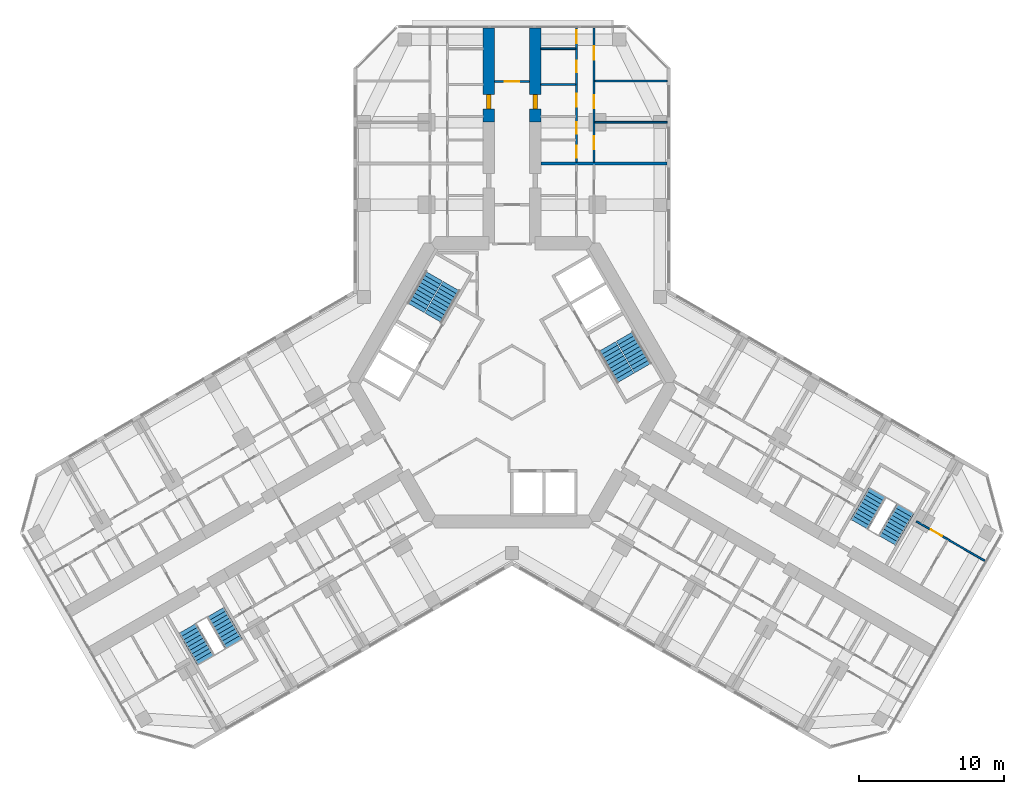
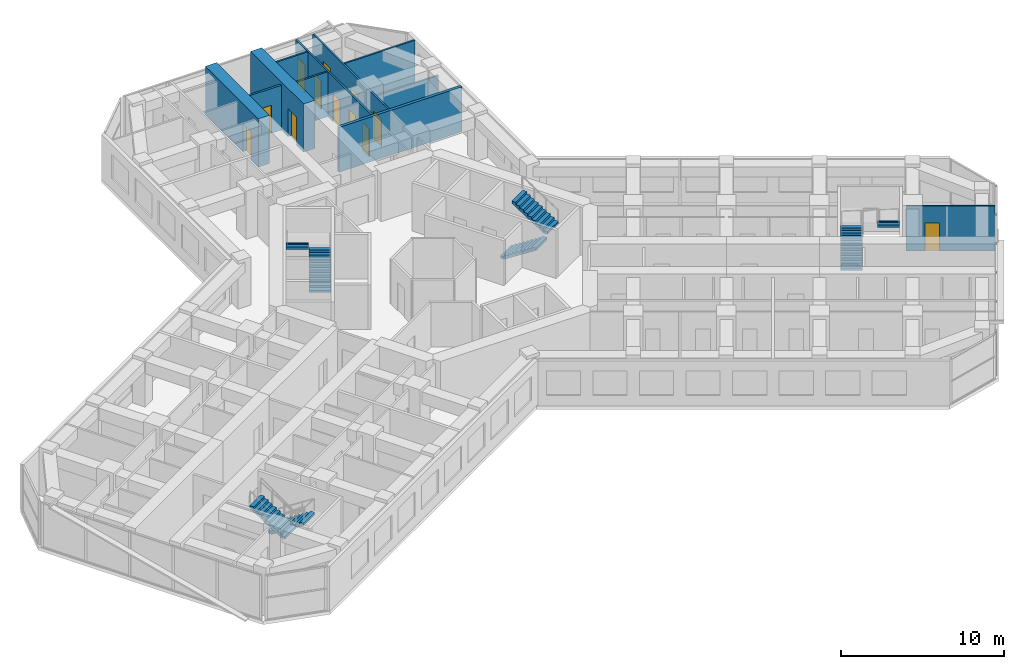
# One storey, part 18 of 19: 12 doors, 11 walls, 8 stair flights, 12 openings, 4 elements without a shape of their own.
"""IFC4 building model written with IfcOpenShell, lengths in metres."""

from ifc_helpers import new_model, si_unit, direction, frame, frame_2d, origin, place, context, subcontext, project, spatial, polyline, rectangle, outline, extrude, material, layer, layer_set, type_object, element, fill, aggregate, save


model = new_model("IFC4")

# Units and contexts
model_context = context("Model", 3, precision=1e-05, world=origin(), true_north=direction((0.0, 1.0)))
body_context = subcontext(model_context, "Body", "Model", "MODEL_VIEW")
ifc_project = project(units=[si_unit("LENGTHUNIT", "METRE"), si_unit("AREAUNIT", "SQUARE_METRE"), si_unit("VOLUMEUNIT", "CUBIC_METRE"), si_unit("PLANEANGLEUNIT", "RADIAN"), si_unit("MASSUNIT", "GRAM", prefix="KILO")], contexts=[model_context])

# Site, building, storey
site_placement = place(None, origin())
site = spatial("IfcSite", under=ifc_project, at=site_placement, CompositionType="ELEMENT")
building_placement = place(site_placement, origin())
building = spatial("IfcBuilding", under=site, at=building_placement, Name="Kosmar Iwan School Tower", CompositionType="ELEMENT")
storey_placement = place(building_placement, frame((0.0, 0.0, 172.39990234375)))
storey = spatial("IfcBuildingStorey", under=building, at=storey_placement, Name="L43", CompositionType="ELEMENT", Elevation=172.39990234375)

# Wall, opening, door
ifc_material_1 = material(Name="Concrete C50/60", Category="concrete")
ifc_layer_1 = layer(ifc_material_1, 0.800048828125)
ifc_layer_set_1 = layer_set([ifc_layer_1], Name="Corridor buttress wall 800")
wall_type_1 = type_object("IfcWallType", Name="Corridor buttress wall 800", PredefinedType="SHEAR", material=ifc_layer_set_1)
wall_1_placement = place(storey_placement, frame((-1.60009765625, 17.949951171875, 0.0), z_axis=(0.0, 0.0, 1.0), x_axis=(0.0, 1.0, 0.0)))
wall_1 = element("IfcWall", 1, at=wall_1_placement, inside=storey, type_object=wall_type_1, Name="Corridor wall AL bay 2", PredefinedType="SHEAR", context=body_context, shape_type="SweptSolid", body=[
    extrude(rectangle(XDim=6.4951171875, YDim=0.800048828125, at=frame_2d((3.24755859375, 0.0))), origin(), (0.0, 0.0, 1.0), 3.60009765625),
])
opening_1_placement = place(wall_1_placement, frame((0.89990234375, 0.0, 0.0)))
opening_1 = element("IfcOpeningElement", 2, at=opening_1_placement, cuts=wall_1, Name="Opening D1", PredefinedType="OPENING", context=body_context, shape_type="SweptSolid", body=[
    extrude(rectangle(XDim=1.0, YDim=2.10009765625, at=frame_2d((0.5, 1.050048828125))), frame((0.0, 0.412109375, 0.0), z_axis=(0.0, -1.0, 0.0), x_axis=(1.0, 0.0, 0.0)), (0.0, 0.0, 1.0), 0.823974609375),
])
ifc_material_2 = material(Name="Timber fire door in steel frame", Category="steel")
door_type_1 = type_object("IfcDoorType", Name="Flat entrance door 1000x2100", OperationType="SINGLE_SWING_LEFT", PredefinedType="DOOR", material=ifc_material_2)
door_1_placement = place(opening_1_placement, origin())
door_1 = element("IfcDoor", 3, at=door_1_placement, inside=storey, type_object=door_type_1, Name="Flat L43-AL2 entrance door", OperationType="SINGLE_SWING_LEFT", OverallHeight=2.10009765625, OverallWidth=1.0, PredefinedType="DOOR", context=body_context, shape_type="SweptSolid", body=[
    extrude(rectangle(XDim=1.0, YDim=2.10009765625, at=frame_2d((0.5, 1.050048828125))), frame((0.0, 0.14990234375, 0.0), z_axis=(0.0, -1.0, 0.0), x_axis=(1.0, 0.0, 0.0)), (0.0, 0.0, 1.0), 0.300048828125),
])
fill(opening_1, door_1)

wall_2_placement = place(storey_placement, frame((1.60009765625, 17.949951171875, 0.0), z_axis=(0.0, 0.0, 1.0), x_axis=(0.0, 1.0, 0.0)))
wall_2 = element("IfcWall", 4, at=wall_2_placement, inside=storey, type_object=wall_type_1, Name="Corridor wall AR bay 2", PredefinedType="SHEAR", context=body_context, shape_type="SweptSolid", body=[
    extrude(rectangle(XDim=6.4951171875, YDim=0.800048828125, at=frame_2d((3.24755859375, 0.0))), origin(), (0.0, 0.0, 1.0), 3.60009765625),
])
opening_2_placement = place(wall_2_placement, frame((0.89990234375, 0.0, 0.0)))
opening_2 = element("IfcOpeningElement", 5, at=opening_2_placement, cuts=wall_2, Name="Opening D1", PredefinedType="OPENING", context=body_context, shape_type="SweptSolid", body=[
    extrude(rectangle(XDim=1.0, YDim=2.10009765625, at=frame_2d((0.5, 1.050048828125))), frame((0.0, 0.412109375, 0.0), z_axis=(0.0, -1.0, 0.0), x_axis=(1.0, 0.0, 0.0)), (0.0, 0.0, 1.0), 0.823974609375),
])
door_2_placement = place(opening_2_placement, origin())
door_2 = element("IfcDoor", 6, at=door_2_placement, inside=storey, type_object=door_type_1, Name="Flat L43-AR2 entrance door", OperationType="SINGLE_SWING_RIGHT", OverallHeight=2.10009765625, OverallWidth=1.0, PredefinedType="DOOR", context=body_context, shape_type="SweptSolid", body=[
    extrude(rectangle(XDim=1.0, YDim=2.10009765625, at=frame_2d((0.5, 1.050048828125))), frame((0.0, 0.14990234375, 0.0), z_axis=(0.0, -1.0, 0.0), x_axis=(1.0, 0.0, 0.0)), (0.0, 0.0, 1.0), 0.300048828125),
])
fill(opening_2, door_2)

ifc_material_3 = material(Name="Gypsum board on steel studs, fire-rated", Category="steel")
ifc_layer_2 = layer(ifc_material_3, 0.14990234375)
ifc_layer_set_2 = layer_set([ifc_layer_2], Name="Corridor end wall 150")
wall_type_2 = type_object("IfcWallType", Name="Corridor end wall 150", PredefinedType="PARTITIONING", material=ifc_layer_set_2)
wall_3_placement = place(storey_placement, frame((1.199951171875, 20.75, 0.0), z_axis=(0.0, 0.0, 1.0), x_axis=(-1.0, 0.0, 0.0)))
wall_3 = element("IfcWall", 7, at=wall_3_placement, inside=storey, type_object=wall_type_2, Name="Partition L43-A-CE", PredefinedType="PARTITIONING", context=body_context, shape_type="SweptSolid", body=[
    extrude(rectangle(XDim=2.39990234375, YDim=0.14990234375, at=frame_2d((1.199951171875, 0.0))), origin(), (0.0, 0.0, 1.0), 3.35009765625),
])
opening_3_placement = place(wall_3_placement, frame((0.699951171875, 0.0, 0.0)))
opening_3 = element("IfcOpeningElement", 8, at=opening_3_placement, cuts=wall_3, Name="Opening D13", PredefinedType="OPENING", context=body_context, shape_type="SweptSolid", body=[
    extrude(rectangle(XDim=1.0, YDim=2.10009765625, at=frame_2d((0.5, 1.050048828125))), frame((0.0, 0.0869140625, 0.0), z_axis=(0.0, -1.0, 0.0), x_axis=(1.0, 0.0, 0.0)), (0.0, 0.0, 1.0), 0.173828125),
])
ifc_material_4 = material(Name="Timber fire door with vision panel", Category="wood")
door_type_2 = type_object("IfcDoorType", Name="Corridor end door 1000x2100", OperationType="SINGLE_SWING_LEFT", PredefinedType="DOOR", material=ifc_material_4)
door_3_placement = place(opening_3_placement, origin())
door_3 = element("IfcDoor", 9, at=door_3_placement, inside=storey, type_object=door_type_2, Name="Prayer room door L43-A", OperationType="SINGLE_SWING_LEFT", OverallHeight=2.10009765625, OverallWidth=1.0, PredefinedType="DOOR", context=body_context, shape_type="SweptSolid", body=[
    extrude(rectangle(XDim=1.0, YDim=2.10009765625, at=frame_2d((0.5, 1.050048828125))), frame((0.0, 0.02490234375, 0.0), z_axis=(0.0, -1.0, 0.0), x_axis=(1.0, 0.0, 0.0)), (0.0, 0.0, 1.0), 0.050048828125),
])
fill(opening_3, door_3)

# Wall, openings, doors
ifc_material_5 = material(Name="Gypsum board on steel studs", Category="steel")
ifc_layer_3 = layer(ifc_material_5, 0.1201171875)
ifc_layer_set_3 = layer_set([ifc_layer_3], Name="Dwelling partition 120")
wall_type_3 = type_object("IfcWallType", Name="Dwelling partition 120", PredefinedType="PARTITIONING", material=ifc_layer_set_3)
wall_4_placement = place(storey_placement, frame((4.449951171875, 15.199951171875, 0.0), z_axis=(0.0, 0.0, 1.0), x_axis=(0.0, 1.0, 0.0)))
wall_4 = element("IfcWall", 10, at=wall_4_placement, inside=storey, type_object=wall_type_3, Name="Partition L43-AR2-W1", PredefinedType="PARTITIONING", context=body_context, shape_type="SweptSolid", body=[
    extrude(rectangle(XDim=9.2451171875, YDim=0.1201171875, at=frame_2d((4.62255859375, 0.0))), origin(), (0.0, 0.0, 1.0), 3.35009765625),
])
opening_4_placement = place(wall_4_placement, frame((0.3125, 0.0, 0.0)))
opening_4 = element("IfcOpeningElement", 11, at=opening_4_placement, cuts=wall_4, Name="Opening D3", PredefinedType="OPENING", context=body_context, shape_type="SweptSolid", body=[
    extrude(rectangle(XDim=0.800048828125, YDim=2.10009765625, at=frame_2d((0.39990234375, 1.050048828125))), frame((0.0, 0.072021484375, 0.0), z_axis=(0.0, -1.0, 0.0), x_axis=(1.0, 0.0, 0.0)), (0.0, 0.0, 1.0), 0.14404296875),
])
opening_5_placement = place(wall_4_placement, frame((1.9375, 0.0, 0.0)))
opening_5 = element("IfcOpeningElement", 12, at=opening_5_placement, cuts=wall_4, Name="Opening D3", PredefinedType="OPENING", context=body_context, shape_type="SweptSolid", body=[
    extrude(rectangle(XDim=0.800048828125, YDim=2.10009765625, at=frame_2d((0.39990234375, 1.050048828125))), frame((0.0, 0.072021484375, 0.0), z_axis=(0.0, -1.0, 0.0), x_axis=(1.0, 0.0, 0.0)), (0.0, 0.0, 1.0), 0.14404296875),
])
opening_6_placement = place(wall_4_placement, frame((3.800048828125, 0.0, 0.0)))
opening_6 = element("IfcOpeningElement", 13, at=opening_6_placement, cuts=wall_4, Name="Opening D2", PredefinedType="OPENING", context=body_context, shape_type="SweptSolid", body=[
    extrude(rectangle(XDim=0.89990234375, YDim=2.10009765625, at=frame_2d((0.449951171875, 1.050048828125))), frame((0.0, 0.072021484375, 0.0), z_axis=(0.0, -1.0, 0.0), x_axis=(1.0, 0.0, 0.0)), (0.0, 0.0, 1.0), 0.14404296875),
])
opening_7_placement = place(wall_4_placement, frame((6.179931640625, 0.0, 0.0)))
opening_7 = element("IfcOpeningElement", 14, at=opening_7_placement, cuts=wall_4, Name="Opening D3", PredefinedType="OPENING", context=body_context, shape_type="SweptSolid", body=[
    extrude(rectangle(XDim=0.800048828125, YDim=2.10009765625, at=frame_2d((0.39990234375, 1.050048828125))), frame((0.0, 0.072021484375, 0.0), z_axis=(0.0, -1.0, 0.0), x_axis=(1.0, 0.0, 0.0)), (0.0, 0.0, 1.0), 0.14404296875),
])
opening_8_placement = place(wall_4_placement, frame((8.179931640625, 0.0, 0.0)))
opening_8 = element("IfcOpeningElement", 15, at=opening_8_placement, cuts=wall_4, Name="Opening D2", PredefinedType="OPENING", context=body_context, shape_type="SweptSolid", body=[
    extrude(rectangle(XDim=0.89990234375, YDim=2.10009765625, at=frame_2d((0.449951171875, 1.050048828125))), frame((0.0, 0.072021484375, 0.0), z_axis=(0.0, -1.0, 0.0), x_axis=(1.0, 0.0, 0.0)), (0.0, 0.0, 1.0), 0.14404296875),
])
ifc_material_6 = material(Name="Timber door in timber frame", Category="wood")
door_type_3 = type_object("IfcDoorType", Name="Internal door 900x2100", OperationType="SINGLE_SWING_LEFT", PredefinedType="DOOR", material=ifc_material_6)
door_4_placement = place(opening_6_placement, origin())
door_4 = element("IfcDoor", 16, at=door_4_placement, inside=storey, type_object=door_type_3, Name="Entrance hall door L43-AR2-S3", OperationType="SINGLE_SWING_RIGHT", OverallHeight=2.10009765625, OverallWidth=0.89990234375, PredefinedType="DOOR", context=body_context, shape_type="SweptSolid", body=[
    extrude(rectangle(XDim=0.89990234375, YDim=2.10009765625, at=frame_2d((0.449951171875, 1.050048828125))), frame((0.0, 0.02490234375, 0.0), z_axis=(0.0, -1.0, 0.0), x_axis=(1.0, 0.0, 0.0)), (0.0, 0.0, 1.0), 0.050048828125),
])
fill(opening_6, door_4)
door_5_placement = place(opening_8_placement, origin())
door_5 = element("IfcDoor", 17, at=door_5_placement, inside=storey, type_object=door_type_3, Name="Pantry door L43-AR2-S5", OperationType="SINGLE_SWING_RIGHT", OverallHeight=2.10009765625, OverallWidth=0.89990234375, PredefinedType="DOOR", context=body_context, shape_type="SweptSolid", body=[
    extrude(rectangle(XDim=0.89990234375, YDim=2.10009765625, at=frame_2d((0.449951171875, 1.050048828125))), frame((0.0, 0.02490234375, 0.0), z_axis=(0.0, -1.0, 0.0), x_axis=(1.0, 0.0, 0.0)), (0.0, 0.0, 1.0), 0.050048828125),
])
fill(opening_8, door_5)
ifc_material_7 = material(Name="Timber door in timber frame", Category="wood")
door_type_4 = type_object("IfcDoorType", Name="Sanitary room door 800x2100", OperationType="SINGLE_SWING_LEFT", PredefinedType="DOOR", material=ifc_material_7)
door_6_placement = place(opening_4_placement, origin())
door_6 = element("IfcDoor", 18, at=door_6_placement, inside=storey, type_object=door_type_4, Name="WC door L43-AR2-S1", OperationType="SINGLE_SWING_RIGHT", OverallHeight=2.10009765625, OverallWidth=0.800048828125, PredefinedType="DOOR", context=body_context, shape_type="SweptSolid", body=[
    extrude(rectangle(XDim=0.800048828125, YDim=2.10009765625, at=frame_2d((0.39990234375, 1.050048828125))), frame((0.0, 0.02490234375, 0.0), z_axis=(0.0, -1.0, 0.0), x_axis=(1.0, 0.0, 0.0)), (0.0, 0.0, 1.0), 0.050048828125),
])
fill(opening_4, door_6)
door_7_placement = place(opening_5_placement, origin())
door_7 = element("IfcDoor", 19, at=door_7_placement, inside=storey, type_object=door_type_4, Name="Shower room door L43-AR2-S2", OperationType="SINGLE_SWING_LEFT", OverallHeight=2.10009765625, OverallWidth=0.800048828125, PredefinedType="DOOR", context=body_context, shape_type="SweptSolid", body=[
    extrude(rectangle(XDim=0.800048828125, YDim=2.10009765625, at=frame_2d((0.39990234375, 1.050048828125))), frame((0.0, 0.02490234375, 0.0), z_axis=(0.0, -1.0, 0.0), x_axis=(1.0, 0.0, 0.0)), (0.0, 0.0, 1.0), 0.050048828125),
])
fill(opening_5, door_7)
door_8_placement = place(opening_7_placement, origin())
door_8 = element("IfcDoor", 20, at=door_8_placement, inside=storey, type_object=door_type_4, Name="Bathroom door L43-AR2-S4", OperationType="SINGLE_SWING_LEFT", OverallHeight=2.10009765625, OverallWidth=0.800048828125, PredefinedType="DOOR", context=body_context, shape_type="SweptSolid", body=[
    extrude(rectangle(XDim=0.800048828125, YDim=2.10009765625, at=frame_2d((0.39990234375, 1.050048828125))), frame((0.0, 0.02490234375, 0.0), z_axis=(0.0, -1.0, 0.0), x_axis=(1.0, 0.0, 0.0)), (0.0, 0.0, 1.0), 0.050048828125),
])
fill(opening_7, door_8)

wall_5_placement = place(storey_placement, frame((5.64990234375, 15.199951171875, 0.0), z_axis=(0.0, 0.0, 1.0), x_axis=(0.0, 1.0, 0.0)))
wall_5 = element("IfcWall", 21, at=wall_5_placement, inside=storey, type_object=wall_type_3, Name="Partition L43-AR2-W2", PredefinedType="PARTITIONING", context=body_context, shape_type="SweptSolid", body=[
    extrude(rectangle(XDim=9.2451171875, YDim=0.1201171875, at=frame_2d((4.62255859375, 0.0))), origin(), (0.0, 0.0, 1.0), 3.35009765625),
])
opening_9_placement = place(wall_5_placement, frame((0.875, 0.0, 0.0)))
opening_9 = element("IfcOpeningElement", 22, at=opening_9_placement, cuts=wall_5, Name="Opening D2", PredefinedType="OPENING", context=body_context, shape_type="SweptSolid", body=[
    extrude(rectangle(XDim=0.89990234375, YDim=2.10009765625, at=frame_2d((0.449951171875, 1.050048828125))), frame((0.0, 0.072021484375, 0.0), z_axis=(0.0, -1.0, 0.0), x_axis=(1.0, 0.0, 0.0)), (0.0, 0.0, 1.0), 0.14404296875),
])
opening_10_placement = place(wall_5_placement, frame((3.72509765625, 0.0, 0.0)))
opening_10 = element("IfcOpeningElement", 23, at=opening_10_placement, cuts=wall_5, Name="Opening D2", PredefinedType="OPENING", context=body_context, shape_type="SweptSolid", body=[
    extrude(rectangle(XDim=0.89990234375, YDim=2.10009765625, at=frame_2d((0.449951171875, 1.050048828125))), frame((0.0, 0.072021484375, 0.0), z_axis=(0.0, -1.0, 0.0), x_axis=(1.0, 0.0, 0.0)), (0.0, 0.0, 1.0), 0.14404296875),
])
opening_11_placement = place(wall_5_placement, frame((7.074951171875, 0.0, 0.0)))
opening_11 = element("IfcOpeningElement", 24, at=opening_11_placement, cuts=wall_5, Name="Opening D2", PredefinedType="OPENING", context=body_context, shape_type="SweptSolid", body=[
    extrude(rectangle(XDim=0.89990234375, YDim=2.10009765625, at=frame_2d((0.449951171875, 1.050048828125))), frame((0.0, 0.072021484375, 0.0), z_axis=(0.0, -1.0, 0.0), x_axis=(1.0, 0.0, 0.0)), (0.0, 0.0, 1.0), 0.14404296875),
])
door_9_placement = place(opening_9_placement, origin())
door_9 = element("IfcDoor", 25, at=door_9_placement, inside=storey, type_object=door_type_3, Name="Family room and kitchen door L43-AR2-F1", OperationType="SINGLE_SWING_LEFT", OverallHeight=2.10009765625, OverallWidth=0.89990234375, PredefinedType="DOOR", context=body_context, shape_type="SweptSolid", body=[
    extrude(rectangle(XDim=0.89990234375, YDim=2.10009765625, at=frame_2d((0.449951171875, 1.050048828125))), frame((0.0, 0.02490234375, 0.0), z_axis=(0.0, -1.0, 0.0), x_axis=(1.0, 0.0, 0.0)), (0.0, 0.0, 1.0), 0.050048828125),
])
fill(opening_9, door_9)
door_10_placement = place(opening_10_placement, origin())
door_10 = element("IfcDoor", 26, at=door_10_placement, inside=storey, type_object=door_type_3, Name="Bedroom 1 door L43-AR2-F2", OperationType="SINGLE_SWING_LEFT", OverallHeight=2.10009765625, OverallWidth=0.89990234375, PredefinedType="DOOR", context=body_context, shape_type="SweptSolid", body=[
    extrude(rectangle(XDim=0.89990234375, YDim=2.10009765625, at=frame_2d((0.449951171875, 1.050048828125))), frame((0.0, 0.02490234375, 0.0), z_axis=(0.0, -1.0, 0.0), x_axis=(1.0, 0.0, 0.0)), (0.0, 0.0, 1.0), 0.050048828125),
])
fill(opening_10, door_10)
door_11_placement = place(opening_11_placement, origin())
door_11 = element("IfcDoor", 27, at=door_11_placement, inside=storey, type_object=door_type_3, Name="Bedroom 2 door L43-AR2-F3", OperationType="SINGLE_SWING_RIGHT", OverallHeight=2.10009765625, OverallWidth=0.89990234375, PredefinedType="DOOR", context=body_context, shape_type="SweptSolid", body=[
    extrude(rectangle(XDim=0.89990234375, YDim=2.10009765625, at=frame_2d((0.449951171875, 1.050048828125))), frame((0.0, 0.02490234375, 0.0), z_axis=(0.0, -1.0, 0.0), x_axis=(1.0, 0.0, 0.0)), (0.0, 0.0, 1.0), 0.050048828125),
])
fill(opening_11, door_11)

# Walls
wall_6_placement = place(storey_placement, frame((5.7099609375, 17.949951171875, 0.0), z_axis=(0.0, 0.0, 1.0), x_axis=(1.0, 0.0, 0.0)))
element("IfcWall", 28, at=wall_6_placement, inside=storey, type_object=wall_type_3, Name="Partition L43-AR2-X1", PredefinedType="PARTITIONING", context=body_context, shape_type="SweptSolid", body=[
    extrude(rectangle(XDim=4.989990234375, YDim=0.1201171875, at=frame_2d((2.4951171875, 0.0))), origin(), (0.0, 0.0, 1.0), 2.4501953125),
])
wall_7_placement = place(storey_placement, frame((5.7099609375, 20.800048828125, 0.0), z_axis=(0.0, 0.0, 1.0), x_axis=(1.0, 0.0, 0.0)))
element("IfcWall", 29, at=wall_7_placement, inside=storey, type_object=wall_type_3, Name="Partition L43-AR2-X2", PredefinedType="PARTITIONING", context=body_context, shape_type="SweptSolid", body=[
    extrude(rectangle(XDim=4.989990234375, YDim=0.1201171875, at=frame_2d((2.4951171875, 0.0))), origin(), (0.0, 0.0, 1.0), 3.35009765625),
])
for number, where, z_axis, x_axis, name in (
    (30, (2.0, 20.550048828125, 0.0), (0.0, 0.0, 1.0), (1.0, 0.0, 0.0), "Partition L43-AR2-Y3"),
    (31, (2.0, 23.010009765625, 0.0), (0.0, 0.0, 1.0), (1.0, 0.0, 0.0), "Partition L43-AR2-Y4"),
):
    element("IfcWall", number, at=place(storey_placement, frame(where, z_axis=z_axis, x_axis=x_axis)), inside=storey, type_object=wall_type_3, Name=name, PredefinedType="PARTITIONING", context=body_context, shape_type="SweptSolid", body=[
        extrude(rectangle(XDim=2.389892578125, YDim=0.1201171875, at=frame_2d((1.19482421875, 0.0))), origin(), (0.0, 0.0, 1.0), 3.35009765625),
    ])

# Wall, opening, door
wall_8_placement = place(storey_placement, frame((27.896484375, -9.58203125, 0.0), z_axis=(0.0, 0.0, 1.0), x_axis=(0.866035508231, -0.499982498177, 0.0)))
wall_8 = element("IfcWall", 32, at=wall_8_placement, inside=storey, type_object=wall_type_3, Name="Partition L43-CL2-TW", PredefinedType="PARTITIONING", context=body_context, shape_type="SweptSolid", body=[
    extrude(rectangle(XDim=5.445068359375, YDim=0.1201171875, at=frame_2d((2.72265625, 0.0))), origin(), (0.0, 0.0, 1.0), 3.35009765625),
])
opening_12_placement = place(wall_8_placement, frame((1.14990234375, 0.0, 0.0)))
opening_12 = element("IfcOpeningElement", 33, at=opening_12_placement, cuts=wall_8, Name="Opening D2", PredefinedType="OPENING", context=body_context, shape_type="SweptSolid", body=[
    extrude(rectangle(XDim=0.89990234375, YDim=2.10009765625, at=frame_2d((0.449951171875, 1.050048828125))), frame((0.0, 0.072021484375, 0.0), z_axis=(0.0, -1.0, 0.0), x_axis=(1.0, 0.0, 0.0)), (0.0, 0.0, 1.0), 0.14404296875),
])
door_12_placement = place(opening_12_placement, origin())
door_12 = element("IfcDoor", 34, at=door_12_placement, inside=storey, type_object=door_type_3, Name="Dressing room door L43-CL2-T3", OperationType="SINGLE_SWING_LEFT", OverallHeight=2.10009765625, OverallWidth=0.89990234375, PredefinedType="DOOR", context=body_context, shape_type="SweptSolid", body=[
    extrude(rectangle(XDim=0.89990234375, YDim=2.10009765625, at=frame_2d((0.449951171875, 1.050048828125))), frame((0.0, 0.02490234375, 0.0), z_axis=(0.0, -1.0, 0.0), x_axis=(1.0, 0.0, 0.0)), (0.0, 0.0, 1.0), 0.050048828125),
])
fill(opening_12, door_12)

# Wall
ifc_material_8 = material(Name="Concrete block masonry", Category="masonry")
ifc_layer_4 = layer(ifc_material_8, 0.199951171875)
ifc_layer_set_4 = layer_set([ifc_layer_4], Name="Party wall 200")
wall_type_4 = type_object("IfcWallType", Name="Party wall 200", PredefinedType="PARTITIONING", material=ifc_layer_set_4)
wall_9_placement = place(storey_placement, frame((2.0, 15.10009765625, 0.0), z_axis=(0.0, 0.0, 1.0), x_axis=(1.0, 0.0, 0.0)))
element("IfcWall", 35, at=wall_9_placement, inside=storey, type_object=wall_type_4, Name="Partition L43-AR2-PW", PredefinedType="PARTITIONING", context=body_context, shape_type="SweptSolid", body=[
    extrude(rectangle(XDim=8.699951171875, YDim=0.199951171875, at=frame_2d((4.35009765625, 0.0))), origin(), (0.0, 0.0, 1.0), 3.35009765625),
])

# Stair, stair flights
ifc_material_9 = material(Name="Concrete C35/45", Category="concrete")
stair_type_1 = type_object("IfcStairType", Name="Escape stair 3600", PredefinedType="HALF_TURN_STAIR", material=ifc_material_9)
stair_1_placement = place(storey_placement, origin())
stair_1 = element("IfcStair", 36, at=stair_1_placement, inside=storey, type_object=stair_type_1, Name="Stair WS2 L43", PredefinedType="HALF_TURN_STAIR")
ifc_material_10 = material(Name="Concrete C35/45", Category="concrete")
stair_flight_type_1 = type_object("IfcStairFlightType", Name="Escape stair flight 1350", PredefinedType="STRAIGHT", material=ifc_material_10)
stair_flight_1_placement = place(storey_placement, frame((-20.44189453125, -15.843505859375, 0.0), z_axis=(0.0, 0.0, 1.0), x_axis=(0.5, -0.866025403784, 0.0)))
stair_flight_1 = element("IfcStairFlight", 37, at=stair_flight_1_placement, type_object=stair_flight_type_1, Name="WS2 flight 1", NumberOfRisers=10, NumberOfTreads=9, PredefinedType="STRAIGHT", RiserHeight=0.18, TreadLength=0.28, context=body_context, shape_type="SweptSolid", body=[
    extrude(outline(polyline([(0.0, 0.0), (0.0, 0.179931640625), (0.280029296875, 0.179931640625), (0.280029296875, 0.360107421875), (0.56005859375, 0.360107421875), (0.56005859375, 0.5400390625), (0.840087890625, 0.5400390625), (0.840087890625, 0.719970703125), (1.1201171875, 0.719970703125), (1.1201171875, 0.89990234375), (1.39990234375, 0.89990234375), (1.39990234375, 1.080078125), (1.679931640625, 1.080078125), (1.679931640625, 1.260009765625), (1.9599609375, 1.260009765625), (1.9599609375, 1.43994140625), (2.239990234375, 1.43994140625), (2.239990234375, 1.6201171875), (2.52001953125, 1.6201171875), (2.52001953125, 1.800048828125), (2.52001953125, 1.44189453125), (0.277099609375, 0.0), (0.0, 0.0)])), frame((0.0, 0.675048828125, 0.0), z_axis=(0.0, -1.0, 0.0), x_axis=(1.0, 0.0, 0.0)), (0.0, 0.0, 1.0), 1.35009765625),
])
stair_flight_2_placement = place(storey_placement, frame((-21.13037109375, -19.15087890625, 1.800048828125), z_axis=(0.0, 0.0, 1.0), x_axis=(-0.5, 0.866025403784, 0.0)))
stair_flight_2 = element("IfcStairFlight", 38, at=stair_flight_2_placement, type_object=stair_flight_type_1, Name="WS2 flight 2", NumberOfRisers=10, NumberOfTreads=9, PredefinedType="STRAIGHT", RiserHeight=0.18, TreadLength=0.28, context=body_context, shape_type="SweptSolid", body=[
    extrude(outline(polyline([(0.0, 0.0), (0.0, 0.179931640625), (0.280029296875, 0.179931640625), (0.280029296875, 0.360107421875), (0.56005859375, 0.360107421875), (0.56005859375, 0.5400390625), (0.840087890625, 0.5400390625), (0.840087890625, 0.719970703125), (1.1201171875, 0.719970703125), (1.1201171875, 0.89990234375), (1.39990234375, 0.89990234375), (1.39990234375, 1.080078125), (1.679931640625, 1.080078125), (1.679931640625, 1.260009765625), (1.9599609375, 1.260009765625), (1.9599609375, 1.43994140625), (2.239990234375, 1.43994140625), (2.239990234375, 1.6201171875), (2.52001953125, 1.6201171875), (2.52001953125, 1.800048828125), (2.52001953125, 1.44189453125), (0.277099609375, 0.0), (0.0, 0.0)])), frame((0.0, 0.675048828125, 0.0), z_axis=(0.0, -1.0, 0.0), x_axis=(1.0, 0.0, 0.0)), (0.0, 0.0, 1.0), 1.35009765625),
])
aggregate(stair_1, [stair_flight_1, stair_flight_2])

stair_2_placement = place(storey_placement, origin())
stair_2 = element("IfcStair", 39, at=stair_2_placement, inside=storey, type_object=stair_type_1, Name="Stair WS3 L43", PredefinedType="HALF_TURN_STAIR")
stair_flight_3_placement = place(storey_placement, frame((23.94189453125, -9.781494140625, 0.0), z_axis=(0.0, 0.0, 1.0), x_axis=(0.5, 0.866025403784, 0.0)))
stair_flight_3 = element("IfcStairFlight", 40, at=stair_flight_3_placement, type_object=stair_flight_type_1, Name="WS3 flight 1", NumberOfRisers=10, NumberOfTreads=9, PredefinedType="STRAIGHT", RiserHeight=0.18, TreadLength=0.28, context=body_context, shape_type="SweptSolid", body=[
    extrude(outline(polyline([(0.0, 0.0), (0.0, 0.179931640625), (0.280029296875, 0.179931640625), (0.280029296875, 0.360107421875), (0.56005859375, 0.360107421875), (0.56005859375, 0.5400390625), (0.840087890625, 0.5400390625), (0.840087890625, 0.719970703125), (1.1201171875, 0.719970703125), (1.1201171875, 0.89990234375), (1.39990234375, 0.89990234375), (1.39990234375, 1.080078125), (1.679931640625, 1.080078125), (1.679931640625, 1.260009765625), (1.9599609375, 1.260009765625), (1.9599609375, 1.43994140625), (2.239990234375, 1.43994140625), (2.239990234375, 1.6201171875), (2.52001953125, 1.6201171875), (2.52001953125, 1.800048828125), (2.52001953125, 1.44189453125), (0.277099609375, 0.0), (0.0, 0.0)])), frame((0.0, 0.675048828125, 0.0), z_axis=(0.0, -1.0, 0.0), x_axis=(1.0, 0.0, 0.0)), (0.0, 0.0, 1.0), 1.35009765625),
])
stair_flight_4_placement = place(storey_placement, frame((27.150390625, -8.72412109375, 1.800048828125), z_axis=(0.0, 0.0, 1.0), x_axis=(-0.5, -0.866025403784, 0.0)))
stair_flight_4 = element("IfcStairFlight", 41, at=stair_flight_4_placement, type_object=stair_flight_type_1, Name="WS3 flight 2", NumberOfRisers=10, NumberOfTreads=9, PredefinedType="STRAIGHT", RiserHeight=0.18, TreadLength=0.28, context=body_context, shape_type="SweptSolid", body=[
    extrude(outline(polyline([(0.0, 0.0), (0.0, 0.179931640625), (0.280029296875, 0.179931640625), (0.280029296875, 0.360107421875), (0.56005859375, 0.360107421875), (0.56005859375, 0.5400390625), (0.840087890625, 0.5400390625), (0.840087890625, 0.719970703125), (1.1201171875, 0.719970703125), (1.1201171875, 0.89990234375), (1.39990234375, 0.89990234375), (1.39990234375, 1.080078125), (1.679931640625, 1.080078125), (1.679931640625, 1.260009765625), (1.9599609375, 1.260009765625), (1.9599609375, 1.43994140625), (2.239990234375, 1.43994140625), (2.239990234375, 1.6201171875), (2.52001953125, 1.6201171875), (2.52001953125, 1.800048828125), (2.52001953125, 1.44189453125), (0.277099609375, 0.0), (0.0, 0.0)])), frame((0.0, 0.675048828125, 0.0), z_axis=(0.0, -1.0, 0.0), x_axis=(1.0, 0.0, 0.0)), (0.0, 0.0, 1.0), 1.35009765625),
])
aggregate(stair_2, [stair_flight_3, stair_flight_4])

ifc_material_11 = material(Name="Concrete C35/45", Category="concrete")
stair_type_2 = type_object("IfcStairType", Name="Core stair 2750", PredefinedType="HALF_TURN_STAIR", material=ifc_material_11)
stair_3_placement = place(storey_placement, origin())
stair_3 = element("IfcStair", 42, at=stair_3_placement, inside=storey, type_object=stair_type_2, Name="Stair ST2 L43", PredefinedType="HALF_TURN_STAIR")
ifc_material_12 = material(Name="Concrete C35/45", Category="concrete")
stair_flight_type_2 = type_object("IfcStairFlightType", Name="Stair flight 1350", PredefinedType="STRAIGHT", material=ifc_material_12)
stair_flight_5_placement = place(storey_placement, frame((-5.42724609375, 4.44970703125, 0.0), z_axis=(0.0, 0.0, 1.0), x_axis=(0.5, 0.866025403784, 0.0)))
stair_flight_5 = element("IfcStairFlight", 43, at=stair_flight_5_placement, type_object=stair_flight_type_2, Name="ST2 flight 1", NumberOfRisers=10, NumberOfTreads=9, PredefinedType="STRAIGHT", RiserHeight=0.18, TreadLength=0.28, context=body_context, shape_type="SweptSolid", body=[
    extrude(outline(polyline([(0.0, 0.0), (0.0, 0.179931640625), (0.280029296875, 0.179931640625), (0.280029296875, 0.360107421875), (0.56005859375, 0.360107421875), (0.56005859375, 0.5400390625), (0.840087890625, 0.5400390625), (0.840087890625, 0.719970703125), (1.1201171875, 0.719970703125), (1.1201171875, 0.89990234375), (1.39990234375, 0.89990234375), (1.39990234375, 1.080078125), (1.679931640625, 1.080078125), (1.679931640625, 1.260009765625), (1.9599609375, 1.260009765625), (1.9599609375, 1.43994140625), (2.239990234375, 1.43994140625), (2.239990234375, 1.6201171875), (2.52001953125, 1.6201171875), (2.52001953125, 1.800048828125), (2.52001953125, 1.44189453125), (0.277099609375, 0.0), (0.0, 0.0)])), frame((0.0, 0.675048828125, 0.0), z_axis=(0.0, -1.0, 0.0), x_axis=(1.0, 0.0, 0.0)), (0.0, 0.0, 1.0), 1.35009765625),
])
stair_flight_6_placement = place(storey_placement, frame((-5.379638671875, 7.33203125, 1.800048828125), z_axis=(0.0, 0.0, 1.0), x_axis=(-0.5, -0.866025403784, 0.0)))
stair_flight_6 = element("IfcStairFlight", 44, at=stair_flight_6_placement, type_object=stair_flight_type_2, Name="ST2 flight 2", NumberOfRisers=10, NumberOfTreads=9, PredefinedType="STRAIGHT", RiserHeight=0.18, TreadLength=0.28, context=body_context, shape_type="SweptSolid", body=[
    extrude(outline(polyline([(0.0, 0.0), (0.0, 0.179931640625), (0.280029296875, 0.179931640625), (0.280029296875, 0.360107421875), (0.56005859375, 0.360107421875), (0.56005859375, 0.5400390625), (0.840087890625, 0.5400390625), (0.840087890625, 0.719970703125), (1.1201171875, 0.719970703125), (1.1201171875, 0.89990234375), (1.39990234375, 0.89990234375), (1.39990234375, 1.080078125), (1.679931640625, 1.080078125), (1.679931640625, 1.260009765625), (1.9599609375, 1.260009765625), (1.9599609375, 1.43994140625), (2.239990234375, 1.43994140625), (2.239990234375, 1.6201171875), (2.52001953125, 1.6201171875), (2.52001953125, 1.800048828125), (2.52001953125, 1.44189453125), (0.277099609375, 0.0), (0.0, 0.0)])), frame((0.0, 0.675048828125, 0.0), z_axis=(0.0, -1.0, 0.0), x_axis=(1.0, 0.0, 0.0)), (0.0, 0.0, 1.0), 1.35009765625),
])
aggregate(stair_3, [stair_flight_5, stair_flight_6])

stair_4_placement = place(storey_placement, origin())
stair_4 = element("IfcStair", 45, at=stair_4_placement, inside=storey, type_object=stair_type_2, Name="Stair ST1 L43", PredefinedType="HALF_TURN_STAIR")
stair_flight_7_placement = place(storey_placement, frame((6.567138671875, 2.475341796875, 0.0), z_axis=(0.0, 0.0, 1.0), x_axis=(0.5, -0.866025403784, 0.0)))
stair_flight_7 = element("IfcStairFlight", 46, at=stair_flight_7_placement, type_object=stair_flight_type_2, Name="ST1 flight 1", NumberOfRisers=10, NumberOfTreads=9, PredefinedType="STRAIGHT", RiserHeight=0.18, TreadLength=0.28, context=body_context, shape_type="SweptSolid", body=[
    extrude(outline(polyline([(0.0, 0.0), (0.0, 0.179931640625), (0.280029296875, 0.179931640625), (0.280029296875, 0.360107421875), (0.56005859375, 0.360107421875), (0.56005859375, 0.5400390625), (0.840087890625, 0.5400390625), (0.840087890625, 0.719970703125), (1.1201171875, 0.719970703125), (1.1201171875, 0.89990234375), (1.39990234375, 0.89990234375), (1.39990234375, 1.080078125), (1.679931640625, 1.080078125), (1.679931640625, 1.260009765625), (1.9599609375, 1.260009765625), (1.9599609375, 1.43994140625), (2.239990234375, 1.43994140625), (2.239990234375, 1.6201171875), (2.52001953125, 1.6201171875), (2.52001953125, 1.800048828125), (2.52001953125, 1.44189453125), (0.277099609375, 0.0), (0.0, 0.0)])), frame((0.0, 0.675048828125, 0.0), z_axis=(0.0, -1.0, 0.0), x_axis=(1.0, 0.0, 0.0)), (0.0, 0.0, 1.0), 1.35009765625),
])
stair_flight_8_placement = place(storey_placement, frame((9.03955078125, 0.992919921875, 1.800048828125), z_axis=(0.0, 0.0, 1.0), x_axis=(-0.5, 0.866025403784, 0.0)))
stair_flight_8 = element("IfcStairFlight", 47, at=stair_flight_8_placement, type_object=stair_flight_type_2, Name="ST1 flight 2", NumberOfRisers=10, NumberOfTreads=9, PredefinedType="STRAIGHT", RiserHeight=0.18, TreadLength=0.28, context=body_context, shape_type="SweptSolid", body=[
    extrude(outline(polyline([(0.0, 0.0), (0.0, 0.179931640625), (0.280029296875, 0.179931640625), (0.280029296875, 0.360107421875), (0.56005859375, 0.360107421875), (0.56005859375, 0.5400390625), (0.840087890625, 0.5400390625), (0.840087890625, 0.719970703125), (1.1201171875, 0.719970703125), (1.1201171875, 0.89990234375), (1.39990234375, 0.89990234375), (1.39990234375, 1.080078125), (1.679931640625, 1.080078125), (1.679931640625, 1.260009765625), (1.9599609375, 1.260009765625), (1.9599609375, 1.43994140625), (2.239990234375, 1.43994140625), (2.239990234375, 1.6201171875), (2.52001953125, 1.6201171875), (2.52001953125, 1.800048828125), (2.52001953125, 1.44189453125), (0.277099609375, 0.0), (0.0, 0.0)])), frame((0.0, 0.675048828125, 0.0), z_axis=(0.0, -1.0, 0.0), x_axis=(1.0, 0.0, 0.0)), (0.0, 0.0, 1.0), 1.35009765625),
])
aggregate(stair_4, [stair_flight_7, stair_flight_8])

save(model, "model.ifc")
